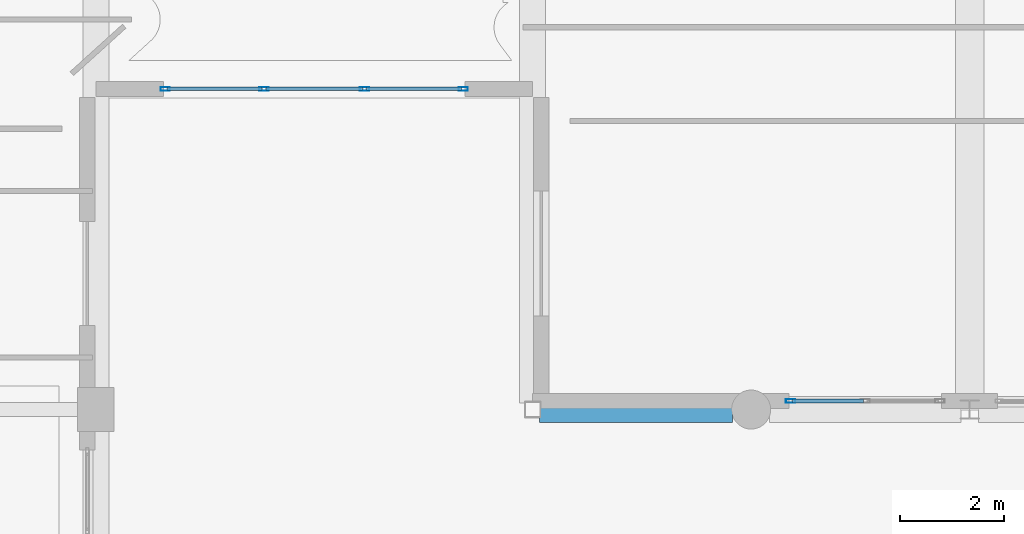
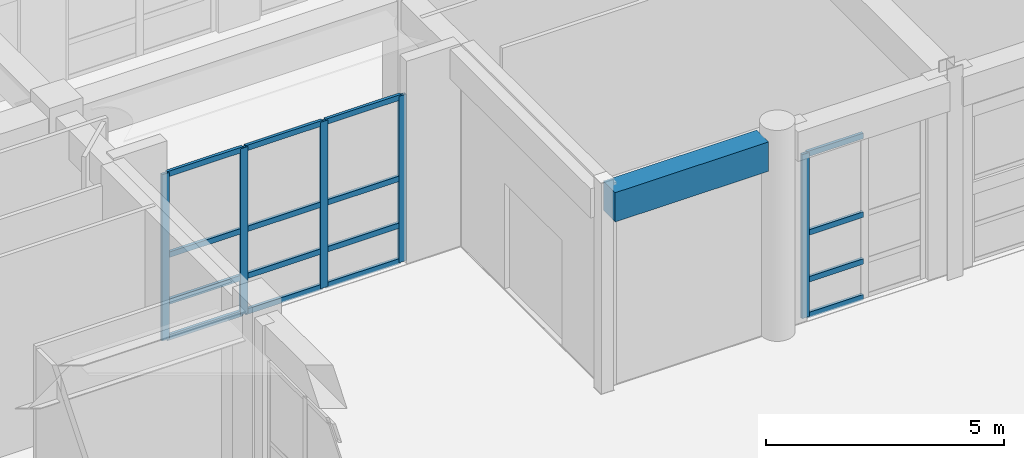
# One storey, part 39 of 148: 21 members, 1 beam, 2 elements without a shape of their own.
"""IFC4 building model written with IfcOpenShell, lengths in metres."""

from ifc_helpers import new_model, si_unit, direction, frame, origin, origin_2d, place, context, subcontext, project, spatial, rectangle, hollow_rectangle, extrude, material, layer, layer_set, material_profile, profile_set, type_object, element, aggregate, save


model = new_model("IFC4")

# Units and contexts
model_context = context("Model", 3, precision=1e-05, world=origin(), true_north=direction((0.0, 1.0)))
body_context = subcontext(model_context, "Body", "Model", "MODEL_VIEW")
ifc_project = project(units=[si_unit("LENGTHUNIT", "METRE"), si_unit("AREAUNIT", "SQUARE_METRE"), si_unit("VOLUMEUNIT", "CUBIC_METRE"), si_unit("PLANEANGLEUNIT", "RADIAN"), si_unit("MASSUNIT", "GRAM", prefix="KILO")], contexts=[model_context])

# Site, building, storey
site_placement = place(None, origin())
site = spatial("IfcSite", under=ifc_project, at=site_placement, CompositionType="ELEMENT")
building_placement = place(site_placement, origin())
building = spatial("IfcBuilding", under=site, at=building_placement, Name="Quendrovan Civic Courthouse", CompositionType="ELEMENT")
storey_placement = place(building_placement, origin())
storey = spatial("IfcBuildingStorey", under=building, at=storey_placement, Name="L01", CompositionType="ELEMENT", Elevation=0.0)

# Beam
ifc_material_1 = material(Name="Concrete C40/50", Category="concrete")
ifc_material_profile_1 = material_profile(ifc_material_1, rectangle(XDim=0.5, YDim=0.75, at=origin_2d()), Name="RC-BM-500x750")
ifc_profile_set_1 = profile_set([ifc_material_profile_1], Name="Concrete C40/50")
beam_type = type_object("IfcBeamType", Name="BM-RC750", PredefinedType="SPANDREL", material=ifc_profile_set_1)
beam_placement = place(storey_placement, frame((25.330078125, 64.800048828125, 4.7451171875), z_axis=(1.0, 0.0, 0.0), x_axis=(0.0, 1.0, 0.0)))
element("IfcBeam", 1, at=beam_placement, inside=storey, type_object=beam_type, Name="L01 Girder X0287", PredefinedType="SPANDREL", context=body_context, shape_type="SweptSolid", body=[
    extrude(rectangle(XDim=0.5, YDim=0.75, at=origin_2d()), origin(), (0.0, 0.0, 1.0), 3.71484375),
])

# Curtain wall, members
ifc_material_2 = material(Name="Bronze anodised aluminium and low-E glass", Category="aluminium")
ifc_layer_1 = layer(ifc_material_2, 0.179931640625, Name="Bronze anodised aluminium and low-E glass")
ifc_layer_set_1 = layer_set([ifc_layer_1], Name="Bronze anodised aluminium and low-E glass")
curtain_wall_type_1 = type_object("IfcCurtainWallType", Name="CW-U58x43", PredefinedType="USERDEFINED", material=ifc_layer_set_1)
curtain_wall_1_placement = place(storey_placement, origin())
curtain_wall_1 = element("IfcCurtainWall", 2, at=curtain_wall_1_placement, inside=storey, type_object=curtain_wall_type_1, Name="L01 Unitised Hurricane Curtain Wall CW-012", ObjectType="UNITISED CURTAIN WALL", PredefinedType="USERDEFINED")
ifc_material_3 = material(Name="Bronze anodised aluminium", Category="aluminium")
ifc_material_profile_2 = material_profile(ifc_material_3, hollow_rectangle(XDim=0.070068359375, YDim=0.179931640625, WallThickness=0.00390625, at=origin_2d()), Name="CW-MULL-70x180")
ifc_profile_set_2 = profile_set([ifc_material_profile_2], Name="Bronze anodised aluminium")
member_type_1 = type_object("IfcMemberType", Name="CW-MULL-A", PredefinedType="MULLION", material=ifc_profile_set_2)
member_1_placement = place(storey_placement, frame((23.864990234375, 70.965087890625, 0.0), z_axis=(0.0, 0.0, 1.0), x_axis=(0.0, -1.0, 0.0)))
member_1 = element("IfcMember", 3, at=member_1_placement, type_object=member_type_1, Name="CW-012 mullion 1", PredefinedType="MULLION", context=body_context, shape_type="SweptSolid", body=[
    extrude(hollow_rectangle(XDim=0.070068359375, YDim=0.179931640625, WallThickness=0.00390625, at=origin_2d()), origin(), (0.0, 0.0, 1.0), 4.260009765625),
])
member_2_placement = place(storey_placement, frame((21.966552734375, 70.965087890625, 0.0), z_axis=(0.0, 0.0, 1.0), x_axis=(0.0, -1.0, 0.0)))
member_2 = element("IfcMember", 4, at=member_2_placement, type_object=member_type_1, Name="CW-012 mullion 2", PredefinedType="MULLION", context=body_context, shape_type="SweptSolid", body=[
    extrude(hollow_rectangle(XDim=0.070068359375, YDim=0.179931640625, WallThickness=0.00390625, at=origin_2d()), origin(), (0.0, 0.0, 1.0), 4.260009765625),
])
member_3_placement = place(storey_placement, frame((20.033447265625, 70.965087890625, 0.0), z_axis=(0.0, 0.0, 1.0), x_axis=(0.0, -1.0, 0.0)))
member_3 = element("IfcMember", 5, at=member_3_placement, type_object=member_type_1, Name="CW-012 mullion 3", PredefinedType="MULLION", context=body_context, shape_type="SweptSolid", body=[
    extrude(hollow_rectangle(XDim=0.070068359375, YDim=0.179931640625, WallThickness=0.00390625, at=origin_2d()), origin(), (0.0, 0.0, 1.0), 4.260009765625),
])
member_4_placement = place(storey_placement, frame((18.135009765625, 70.965087890625, 0.0), z_axis=(0.0, 0.0, 1.0), x_axis=(0.0, -1.0, 0.0)))
member_4 = element("IfcMember", 6, at=member_4_placement, type_object=member_type_1, Name="CW-012 mullion 4", PredefinedType="MULLION", context=body_context, shape_type="SweptSolid", body=[
    extrude(hollow_rectangle(XDim=0.070068359375, YDim=0.179931640625, WallThickness=0.00390625, at=origin_2d()), origin(), (0.0, 0.0, 1.0), 4.260009765625),
])

# Curtain wall, member
ifc_layer_2 = layer(ifc_material_2, 0.179931640625, Name="Bronze anodised aluminium and low-E glass")
ifc_layer_set_2 = layer_set([ifc_layer_2], Name="Bronze anodised aluminium and low-E glass")
curtain_wall_type_2 = type_object("IfcCurtainWallType", Name="CW-U29x42", PredefinedType="USERDEFINED", material=ifc_layer_set_2)
curtain_wall_2_placement = place(storey_placement, origin())
curtain_wall_2 = element("IfcCurtainWall", 7, at=curtain_wall_2_placement, inside=storey, type_object=curtain_wall_type_2, Name="L01 Unitised Hurricane Curtain Wall CW-066", ObjectType="UNITISED CURTAIN WALL", PredefinedType="USERDEFINED")
member_5_placement = place(storey_placement, frame((30.159912109375, 64.965087890625, 0.0), z_axis=(0.0, 0.0, 1.0), x_axis=(0.0, -1.0, 0.0)))
member_5 = element("IfcMember", 8, at=member_5_placement, type_object=member_type_1, Name="CW-066 mullion 3", PredefinedType="MULLION", context=body_context, shape_type="SweptSolid", body=[
    extrude(hollow_rectangle(XDim=0.070068359375, YDim=0.179931640625, WallThickness=0.00390625, at=origin_2d()), origin(), (0.0, 0.0, 1.0), 4.199951171875),
])

# Member
ifc_material_profile_3 = material_profile(ifc_material_3, hollow_rectangle(XDim=0.070068359375, YDim=0.139892578125, WallThickness=0.00390625, at=origin_2d()), Name="CW-TRAN-70x140")
ifc_profile_set_3 = profile_set([ifc_material_profile_3], Name="Bronze anodised aluminium")
member_type_2 = type_object("IfcMemberType", Name="CW-TRAN-A", PredefinedType="USERDEFINED", material=ifc_profile_set_3)
member_6_placement = place(storey_placement, frame((23.830078125, 70.965087890625, 0.034912109375), z_axis=(-1.0, 0.0, 0.0), x_axis=(0.0, -1.0, 0.0)))
member_6 = element("IfcMember", 9, at=member_6_placement, type_object=member_type_2, Name="CW-012 transom 1.1", ObjectType="TRANSOM", PredefinedType="USERDEFINED", context=body_context, shape_type="SweptSolid", body=[
    extrude(hollow_rectangle(XDim=0.070068359375, YDim=0.139892578125, WallThickness=0.00390625, at=origin_2d()), origin(), (0.0, 0.0, 1.0), 1.828369140625),
])

member_7_placement = place(storey_placement, frame((23.830078125, 70.965087890625, 0.949951171875), z_axis=(-1.0, 0.0, 0.0), x_axis=(0.0, -1.0, 0.0)))
member_7 = element("IfcMember", 10, at=member_7_placement, type_object=member_type_2, Name="CW-012 transom 1.2", ObjectType="TRANSOM", PredefinedType="USERDEFINED", context=body_context, shape_type="SweptSolid", body=[
    extrude(hollow_rectangle(XDim=0.070068359375, YDim=0.139892578125, WallThickness=0.00390625, at=origin_2d()), origin(), (0.0, 0.0, 1.0), 1.828369140625),
])

member_8_placement = place(storey_placement, frame((23.830078125, 70.965087890625, 2.14990234375), z_axis=(-1.0, 0.0, 0.0), x_axis=(0.0, -1.0, 0.0)))
member_8 = element("IfcMember", 11, at=member_8_placement, type_object=member_type_2, Name="CW-012 transom 1.3", ObjectType="TRANSOM", PredefinedType="USERDEFINED", context=body_context, shape_type="SweptSolid", body=[
    extrude(hollow_rectangle(XDim=0.070068359375, YDim=0.139892578125, WallThickness=0.00390625, at=origin_2d()), origin(), (0.0, 0.0, 1.0), 1.828369140625),
])

member_9_placement = place(storey_placement, frame((23.830078125, 70.965087890625, 4.22509765625), z_axis=(-1.0, 0.0, 0.0), x_axis=(0.0, -1.0, 0.0)))
member_9 = element("IfcMember", 12, at=member_9_placement, type_object=member_type_2, Name="CW-012 transom 1.4", ObjectType="TRANSOM", PredefinedType="USERDEFINED", context=body_context, shape_type="SweptSolid", body=[
    extrude(hollow_rectangle(XDim=0.070068359375, YDim=0.139892578125, WallThickness=0.00390625, at=origin_2d()), origin(), (0.0, 0.0, 1.0), 1.828369140625),
])

member_10_placement = place(storey_placement, frame((21.931640625, 70.965087890625, 0.034912109375), z_axis=(-1.0, 0.0, 0.0), x_axis=(0.0, -1.0, 0.0)))
member_10 = element("IfcMember", 13, at=member_10_placement, type_object=member_type_2, Name="CW-012 transom 2.1", ObjectType="TRANSOM", PredefinedType="USERDEFINED", context=body_context, shape_type="SweptSolid", body=[
    extrude(hollow_rectangle(XDim=0.070068359375, YDim=0.139892578125, WallThickness=0.00390625, at=origin_2d()), origin(), (0.0, 0.0, 1.0), 1.86328125),
])

member_11_placement = place(storey_placement, frame((21.931640625, 70.965087890625, 0.949951171875), z_axis=(-1.0, 0.0, 0.0), x_axis=(0.0, -1.0, 0.0)))
member_11 = element("IfcMember", 14, at=member_11_placement, type_object=member_type_2, Name="CW-012 transom 2.2", ObjectType="TRANSOM", PredefinedType="USERDEFINED", context=body_context, shape_type="SweptSolid", body=[
    extrude(hollow_rectangle(XDim=0.070068359375, YDim=0.139892578125, WallThickness=0.00390625, at=origin_2d()), origin(), (0.0, 0.0, 1.0), 1.86328125),
])

member_12_placement = place(storey_placement, frame((21.931640625, 70.965087890625, 2.14990234375), z_axis=(-1.0, 0.0, 0.0), x_axis=(0.0, -1.0, 0.0)))
member_12 = element("IfcMember", 15, at=member_12_placement, type_object=member_type_2, Name="CW-012 transom 2.3", ObjectType="TRANSOM", PredefinedType="USERDEFINED", context=body_context, shape_type="SweptSolid", body=[
    extrude(hollow_rectangle(XDim=0.070068359375, YDim=0.139892578125, WallThickness=0.00390625, at=origin_2d()), origin(), (0.0, 0.0, 1.0), 1.86328125),
])

member_13_placement = place(storey_placement, frame((21.931640625, 70.965087890625, 4.22509765625), z_axis=(-1.0, 0.0, 0.0), x_axis=(0.0, -1.0, 0.0)))
member_13 = element("IfcMember", 16, at=member_13_placement, type_object=member_type_2, Name="CW-012 transom 2.4", ObjectType="TRANSOM", PredefinedType="USERDEFINED", context=body_context, shape_type="SweptSolid", body=[
    extrude(hollow_rectangle(XDim=0.070068359375, YDim=0.139892578125, WallThickness=0.00390625, at=origin_2d()), origin(), (0.0, 0.0, 1.0), 1.86328125),
])

member_14_placement = place(storey_placement, frame((19.998291015625, 70.965087890625, 0.034912109375), z_axis=(-1.0, 0.0, 0.0), x_axis=(0.0, -1.0, 0.0)))
member_14 = element("IfcMember", 17, at=member_14_placement, type_object=member_type_2, Name="CW-012 transom 3.1", ObjectType="TRANSOM", PredefinedType="USERDEFINED", context=body_context, shape_type="SweptSolid", body=[
    extrude(hollow_rectangle(XDim=0.070068359375, YDim=0.139892578125, WallThickness=0.00390625, at=origin_2d()), origin(), (0.0, 0.0, 1.0), 1.828369140625),
])

member_15_placement = place(storey_placement, frame((19.998291015625, 70.965087890625, 0.949951171875), z_axis=(-1.0, 0.0, 0.0), x_axis=(0.0, -1.0, 0.0)))
member_15 = element("IfcMember", 18, at=member_15_placement, type_object=member_type_2, Name="CW-012 transom 3.2", ObjectType="TRANSOM", PredefinedType="USERDEFINED", context=body_context, shape_type="SweptSolid", body=[
    extrude(hollow_rectangle(XDim=0.070068359375, YDim=0.139892578125, WallThickness=0.00390625, at=origin_2d()), origin(), (0.0, 0.0, 1.0), 1.828369140625),
])

member_16_placement = place(storey_placement, frame((19.998291015625, 70.965087890625, 2.14990234375), z_axis=(-1.0, 0.0, 0.0), x_axis=(0.0, -1.0, 0.0)))
member_16 = element("IfcMember", 19, at=member_16_placement, type_object=member_type_2, Name="CW-012 transom 3.3", ObjectType="TRANSOM", PredefinedType="USERDEFINED", context=body_context, shape_type="SweptSolid", body=[
    extrude(hollow_rectangle(XDim=0.070068359375, YDim=0.139892578125, WallThickness=0.00390625, at=origin_2d()), origin(), (0.0, 0.0, 1.0), 1.828369140625),
])

member_17_placement = place(storey_placement, frame((19.998291015625, 70.965087890625, 4.22509765625), z_axis=(-1.0, 0.0, 0.0), x_axis=(0.0, -1.0, 0.0)))
member_17 = element("IfcMember", 20, at=member_17_placement, type_object=member_type_2, Name="CW-012 transom 3.4", ObjectType="TRANSOM", PredefinedType="USERDEFINED", context=body_context, shape_type="SweptSolid", body=[
    extrude(hollow_rectangle(XDim=0.070068359375, YDim=0.139892578125, WallThickness=0.00390625, at=origin_2d()), origin(), (0.0, 0.0, 1.0), 1.828369140625),
])

aggregate(curtain_wall_1, [member_1, member_2, member_3, member_4, member_6, member_7, member_8, member_9, member_10, member_11, member_12, member_13, member_14, member_15, member_16, member_17])

member_18_placement = place(storey_placement, frame((31.55908203125, 64.965087890625, 0.034912109375), z_axis=(-1.0, 0.0, 0.0), x_axis=(0.0, -1.0, 0.0)))
member_18 = element("IfcMember", 21, at=member_18_placement, type_object=member_type_2, Name="CW-066 transom 2.1", ObjectType="TRANSOM", PredefinedType="USERDEFINED", context=body_context, shape_type="SweptSolid", body=[
    extrude(hollow_rectangle(XDim=0.070068359375, YDim=0.139892578125, WallThickness=0.00390625, at=origin_2d()), origin(), (0.0, 0.0, 1.0), 1.364013671875),
])

member_19_placement = place(storey_placement, frame((31.55908203125, 64.965087890625, 0.949951171875), z_axis=(-1.0, 0.0, 0.0), x_axis=(0.0, -1.0, 0.0)))
member_19 = element("IfcMember", 22, at=member_19_placement, type_object=member_type_2, Name="CW-066 transom 2.2", ObjectType="TRANSOM", PredefinedType="USERDEFINED", context=body_context, shape_type="SweptSolid", body=[
    extrude(hollow_rectangle(XDim=0.070068359375, YDim=0.139892578125, WallThickness=0.00390625, at=origin_2d()), origin(), (0.0, 0.0, 1.0), 1.364013671875),
])

member_20_placement = place(storey_placement, frame((31.55908203125, 64.965087890625, 2.14990234375), z_axis=(-1.0, 0.0, 0.0), x_axis=(0.0, -1.0, 0.0)))
member_20 = element("IfcMember", 23, at=member_20_placement, type_object=member_type_2, Name="CW-066 transom 2.3", ObjectType="TRANSOM", PredefinedType="USERDEFINED", context=body_context, shape_type="SweptSolid", body=[
    extrude(hollow_rectangle(XDim=0.070068359375, YDim=0.139892578125, WallThickness=0.00390625, at=origin_2d()), origin(), (0.0, 0.0, 1.0), 1.364013671875),
])

member_21_placement = place(storey_placement, frame((31.55908203125, 64.965087890625, 4.1650390625), z_axis=(-1.0, 0.0, 0.0), x_axis=(0.0, -1.0, 0.0)))
member_21 = element("IfcMember", 24, at=member_21_placement, type_object=member_type_2, Name="CW-066 transom 2.4", ObjectType="TRANSOM", PredefinedType="USERDEFINED", context=body_context, shape_type="SweptSolid", body=[
    extrude(hollow_rectangle(XDim=0.070068359375, YDim=0.139892578125, WallThickness=0.00390625, at=origin_2d()), origin(), (0.0, 0.0, 1.0), 1.364013671875),
])

aggregate(curtain_wall_2, [member_5, member_18, member_19, member_20, member_21])

save(model, "model.ifc")
